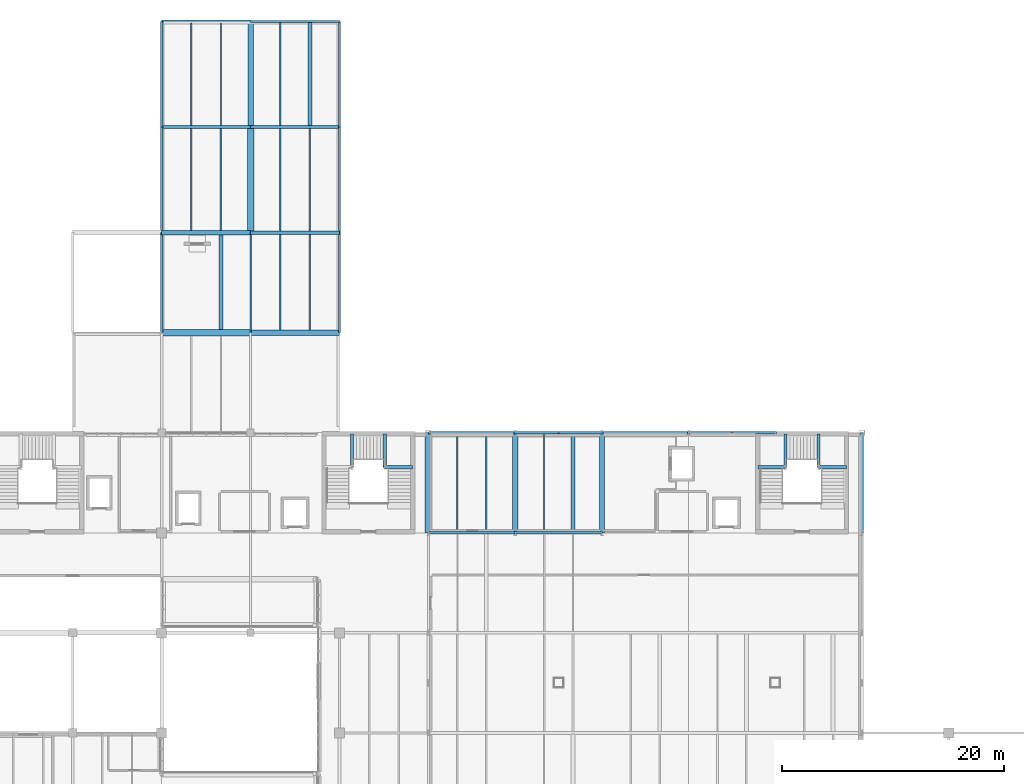
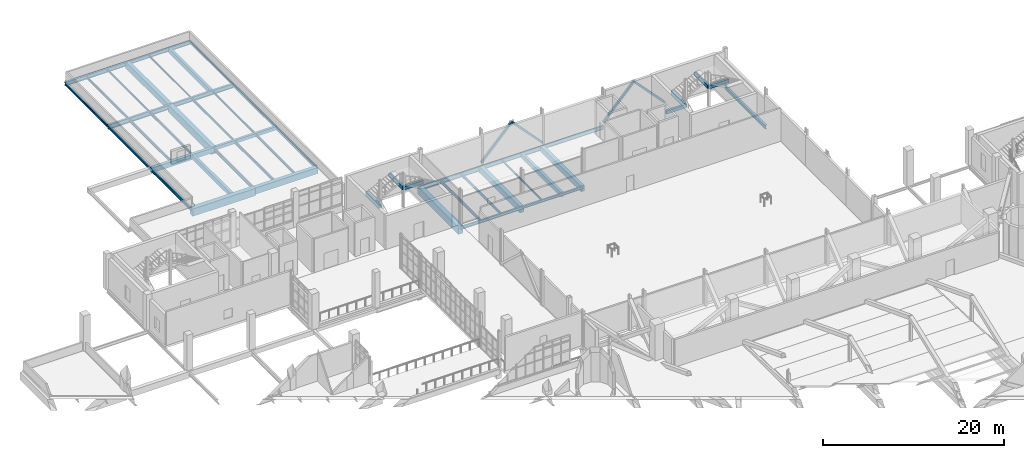
# One storey, part 70 of 127: 48 beams, 4 members.
"""IFC4 building model written with IfcOpenShell, lengths in metres."""

from ifc_helpers import new_model, si_unit, derived_unit, direction, frame, origin, origin_2d, place, context, subcontext, project, spatial, rectangle, hollow_rectangle, i_section, extrude, material, material_profile, profile_set, type_object, element, save


model = new_model("IFC4")

# Units and contexts
model_context = context("Model", 3, precision=1e-05, world=origin(), true_north=direction((0.0, 1.0)))
body_context = subcontext(model_context, "Body", "Model", "MODEL_VIEW")
ifc_project = project(units=[si_unit("LENGTHUNIT", "METRE"), si_unit("AREAUNIT", "SQUARE_METRE"), si_unit("VOLUMEUNIT", "CUBIC_METRE"), si_unit("PLANEANGLEUNIT", "RADIAN"), si_unit("MASSUNIT", "GRAM", prefix="KILO"), derived_unit("THERMALTRANSMITTANCEUNIT", [(si_unit("POWERUNIT", "WATT"), 1), (si_unit("LENGTHUNIT", "METRE"), -2), (si_unit("THERMODYNAMICTEMPERATUREUNIT", "KELVIN"), -1)])], contexts=[model_context])

# Site, building, storey
site_placement = place(None, origin())
site = spatial("IfcSite", under=ifc_project, at=site_placement, CompositionType="ELEMENT")
building_placement = place(site_placement, origin())
building = spatial("IfcBuilding", under=site, at=building_placement, Name="Nallur Shell Playhouse", CompositionType="ELEMENT")
storey_placement = place(building_placement, frame((0.0, 0.0, 5.39990234375)))
storey = spatial("IfcBuildingStorey", under=building, at=storey_placement, Name="L02", CompositionType="ELEMENT", Elevation=5.39990234375)

# Beams
ifc_material_1 = material(Name="Steel E250", Category="steel")
ifc_material_profile_1 = material_profile(ifc_material_1, i_section(OverallWidth=0.110107421875, OverallDepth=0.22509765625, WebThickness=0.006591796875, FlangeThickness=0.01171875, FilletRadius=0.011962890625, at=origin_2d()), Name="ISMB 225")
ifc_profile_set_1 = profile_set([ifc_material_profile_1], Name="Steel E250")
beam_type_1 = type_object("IfcBeamType", Name="BM-JST-ISMB225", PredefinedType="JOIST", material=ifc_profile_set_1)
beam_1_placement = place(storey_placement, frame((50.666748046875, 110.623046875, -0.392333984375), z_axis=(0.0, 1.0, 0.0), x_axis=(-1.0, 0.0, 0.0)))
element("IfcBeam", 1, at=beam_1_placement, inside=storey, type_object=beam_type_1, Name="L02 secondary joist 6-N-527", PredefinedType="JOIST", context=body_context, shape_type="SweptSolid", body=[
    extrude(i_section(OverallWidth=0.110107421875, OverallDepth=0.22509765625, WebThickness=0.006591796875, FlangeThickness=0.01171875, FilletRadius=0.011962890625, at=origin_2d()), origin(), (0.0, 0.0, 1.0), 9.279052734375),
])
beam_2_placement = place(storey_placement, frame((74.39990234375, 74.097900390625, -0.392333984375), z_axis=(0.0, 1.0, 0.0), x_axis=(-1.0, 0.0, 0.0)))
element("IfcBeam", 2, at=beam_2_placement, inside=storey, type_object=beam_type_1, Name="L02 secondary joist 9-J-551", PredefinedType="JOIST", context=body_context, shape_type="SweptSolid", body=[
    extrude(i_section(OverallWidth=0.110107421875, OverallDepth=0.22509765625, WebThickness=0.006591796875, FlangeThickness=0.01171875, FilletRadius=0.011962890625, at=origin_2d()), origin(), (0.0, 0.0, 1.0), 8.80908203125),
])
ifc_material_profile_2 = material_profile(ifc_material_1, i_section(OverallWidth=0.125, OverallDepth=0.25, WebThickness=0.0068359375, FlangeThickness=0.012451171875, FilletRadius=0.012939453125, at=origin_2d()), Name="ISMB 250")
ifc_profile_set_2 = profile_set([ifc_material_profile_2], Name="Steel E250")
beam_type_2 = type_object("IfcBeamType", Name="BM-JST-ISMB250", PredefinedType="JOIST", material=ifc_profile_set_2)
beam_3_placement = place(storey_placement, frame((45.333251953125, 110.623046875, -0.40478515625), z_axis=(0.0, 1.0, 0.0), x_axis=(-1.0, 0.0, 0.0)))
element("IfcBeam", 3, at=beam_3_placement, inside=storey, type_object=beam_type_2, Name="L02 secondary joist 5-N-520", PredefinedType="JOIST", context=body_context, shape_type="SweptSolid", body=[
    extrude(i_section(OverallWidth=0.125, OverallDepth=0.25, WebThickness=0.0068359375, FlangeThickness=0.012451171875, FilletRadius=0.012939453125, at=origin_2d()), origin(), (0.0, 0.0, 1.0), 9.25390625),
])
beam_4_placement = place(storey_placement, frame((53.333251953125, 101.14794921875, -0.40478515625), z_axis=(0.0, 1.0, 0.0), x_axis=(-1.0, 0.0, 0.0)))
element("IfcBeam", 4, at=beam_4_placement, inside=storey, type_object=beam_type_2, Name="L02 secondary joist 6-M-526", PredefinedType="JOIST", context=body_context, shape_type="SweptSolid", body=[
    extrude(i_section(OverallWidth=0.125, OverallDepth=0.25, WebThickness=0.0068359375, FlangeThickness=0.012451171875, FilletRadius=0.012939453125, at=origin_2d()), origin(), (0.0, 0.0, 1.0), 9.22900390625),
])
ifc_material_profile_3 = material_profile(ifc_material_1, i_section(OverallWidth=0.139892578125, OverallDepth=0.300048828125, WebThickness=0.0078125, FlangeThickness=0.01318359375, FilletRadius=0.013916015625, at=origin_2d()), Name="ISMB 300")
ifc_profile_set_3 = profile_set([ifc_material_profile_3], Name="Steel E250")
beam_type_3 = type_object("IfcBeamType", Name="BM-JST-ISMB300", PredefinedType="JOIST", material=ifc_profile_set_3)
beam_5_placement = place(storey_placement, frame((42.666748046875, 110.623046875, -0.429931640625), z_axis=(0.0, 1.0, 0.0), x_axis=(-1.0, 0.0, 0.0)))
element("IfcBeam", 5, at=beam_5_placement, inside=storey, type_object=beam_type_3, Name="L02 secondary joist 5-N-519", PredefinedType="JOIST", context=body_context, shape_type="SweptSolid", body=[
    extrude(i_section(OverallWidth=0.139892578125, OverallDepth=0.300048828125, WebThickness=0.0078125, FlangeThickness=0.01318359375, FilletRadius=0.013916015625, at=origin_2d()), origin(), (0.0, 0.0, 1.0), 9.25390625),
])
beam_6_placement = place(storey_placement, frame((50.666748046875, 101.14794921875, -0.429931640625), z_axis=(0.0, 1.0, 0.0), x_axis=(-1.0, 0.0, 0.0)))
element("IfcBeam", 6, at=beam_6_placement, inside=storey, type_object=beam_type_3, Name="L02 secondary joist 6-M-525", PredefinedType="JOIST", context=body_context, shape_type="SweptSolid", body=[
    extrude(i_section(OverallWidth=0.139892578125, OverallDepth=0.300048828125, WebThickness=0.0078125, FlangeThickness=0.01318359375, FilletRadius=0.013916015625, at=origin_2d()), origin(), (0.0, 0.0, 1.0), 9.22900390625),
])
ifc_material_profile_4 = material_profile(ifc_material_1, i_section(OverallWidth=0.139892578125, OverallDepth=0.35009765625, WebThickness=0.008056640625, FlangeThickness=0.01416015625, FilletRadius=0.013916015625, at=origin_2d()), Name="ISMB 350")
ifc_profile_set_4 = profile_set([ifc_material_profile_4], Name="Steel E250")
beam_type_4 = type_object("IfcBeamType", Name="BM-JST-ISMB350", PredefinedType="JOIST", material=ifc_profile_set_4)
beam_7_placement = place(storey_placement, frame((45.333251953125, 101.197998046875, -0.454833984375), z_axis=(0.0, 1.0, 0.0), x_axis=(-1.0, 0.0, 0.0)))
element("IfcBeam", 7, at=beam_7_placement, inside=storey, type_object=beam_type_4, Name="L02 secondary joist 5-M-518", PredefinedType="JOIST", context=body_context, shape_type="SweptSolid", body=[
    extrude(i_section(OverallWidth=0.139892578125, OverallDepth=0.35009765625, WebThickness=0.008056640625, FlangeThickness=0.01416015625, FilletRadius=0.013916015625, at=origin_2d()), origin(), (0.0, 0.0, 1.0), 9.178955078125),
])
beam_8_placement = place(storey_placement, frame((53.333251953125, 92.248046875, -0.454833984375), z_axis=(0.0, 1.0, 0.0), x_axis=(-1.0, 0.0, 0.0)))
element("IfcBeam", 8, at=beam_8_placement, inside=storey, type_object=beam_type_4, Name="L02 secondary joist 6-L-524", PredefinedType="JOIST", context=body_context, shape_type="SweptSolid", body=[
    extrude(i_section(OverallWidth=0.139892578125, OverallDepth=0.35009765625, WebThickness=0.008056640625, FlangeThickness=0.01416015625, FilletRadius=0.013916015625, at=origin_2d()), origin(), (0.0, 0.0, 1.0), 8.60400390625),
])
beam_9_placement = place(storey_placement, frame((69.199951171875, 74.097900390625, -0.454833984375), z_axis=(0.0, 1.0, 0.0), x_axis=(-1.0, 0.0, 0.0)))
element("IfcBeam", 9, at=beam_9_placement, inside=storey, type_object=beam_type_4, Name="L02 secondary joist 8-J-542", PredefinedType="JOIST", context=body_context, shape_type="SweptSolid", body=[
    extrude(i_section(OverallWidth=0.139892578125, OverallDepth=0.35009765625, WebThickness=0.008056640625, FlangeThickness=0.01416015625, FilletRadius=0.013916015625, at=origin_2d()), origin(), (0.0, 0.0, 1.0), 8.799072265625),
])
ifc_material_profile_5 = material_profile(ifc_material_1, i_section(OverallWidth=0.139892578125, OverallDepth=0.39990234375, WebThickness=0.0087890625, FlangeThickness=0.01611328125, FilletRadius=0.013916015625, at=origin_2d()), Name="ISMB 400")
ifc_profile_set_5 = profile_set([ifc_material_profile_5], Name="Steel E250")
beam_type_5 = type_object("IfcBeamType", Name="BM-JST-ISMB400", PredefinedType="JOIST", material=ifc_profile_set_5)
beam_10_placement = place(storey_placement, frame((42.666748046875, 101.197998046875, -0.47998046875), z_axis=(0.0, 1.0, 0.0), x_axis=(-1.0, 0.0, 0.0)))
element("IfcBeam", 10, at=beam_10_placement, inside=storey, type_object=beam_type_5, Name="L02 secondary joist 5-M-517", PredefinedType="JOIST", context=body_context, shape_type="SweptSolid", body=[
    extrude(i_section(OverallWidth=0.139892578125, OverallDepth=0.39990234375, WebThickness=0.0087890625, FlangeThickness=0.01611328125, FilletRadius=0.013916015625, at=origin_2d()), origin(), (0.0, 0.0, 1.0), 9.178955078125),
])
beam_11_placement = place(storey_placement, frame((50.666748046875, 92.248046875, -0.47998046875), z_axis=(0.0, 1.0, 0.0), x_axis=(-1.0, 0.0, 0.0)))
element("IfcBeam", 11, at=beam_11_placement, inside=storey, type_object=beam_type_5, Name="L02 secondary joist 6-L-523", PredefinedType="JOIST", context=body_context, shape_type="SweptSolid", body=[
    extrude(i_section(OverallWidth=0.139892578125, OverallDepth=0.39990234375, WebThickness=0.0087890625, FlangeThickness=0.01611328125, FilletRadius=0.013916015625, at=origin_2d()), origin(), (0.0, 0.0, 1.0), 8.60400390625),
])
beam_12_placement = place(storey_placement, frame((66.60009765625, 74.097900390625, -0.47998046875), z_axis=(0.0, 1.0, 0.0), x_axis=(-1.0, 0.0, 0.0)))
element("IfcBeam", 12, at=beam_12_placement, inside=storey, type_object=beam_type_5, Name="L02 secondary joist 8-J-541", PredefinedType="JOIST", context=body_context, shape_type="SweptSolid", body=[
    extrude(i_section(OverallWidth=0.139892578125, OverallDepth=0.39990234375, WebThickness=0.0087890625, FlangeThickness=0.01611328125, FilletRadius=0.013916015625, at=origin_2d()), origin(), (0.0, 0.0, 1.0), 8.799072265625),
])
ifc_material_2 = material(Name="Concrete M30", Category="concrete")
ifc_material_profile_6 = material_profile(ifc_material_2, rectangle(XDim=0.35009765625, YDim=0.60009765625, at=origin_2d()), Name="RC 350x600")
ifc_profile_set_6 = profile_set([ifc_material_profile_6], Name="Concrete M30")
beam_type_6 = type_object("IfcBeamType", Name="BM-RC-350x600", PredefinedType="JOIST", material=ifc_profile_set_6)
beam_13_placement = place(storey_placement, frame((45.333251953125, 92.298095703125, -0.579833984375), z_axis=(0.0, 1.0, 0.0), x_axis=(-1.0, 0.0, 0.0)))
element("IfcBeam", 13, at=beam_13_placement, inside=storey, type_object=beam_type_6, Name="L02 secondary joist 5-L-516", PredefinedType="JOIST", context=body_context, shape_type="SweptSolid", body=[
    extrude(rectangle(XDim=0.35009765625, YDim=0.60009765625, at=origin_2d()), origin(), (0.0, 0.0, 1.0), 8.50390625),
])
beam_14_placement = place(storey_placement, frame((53.333251953125, 110.623046875, -0.579833984375), z_axis=(0.0, 1.0, 0.0), x_axis=(-1.0, 0.0, 0.0)))
element("IfcBeam", 14, at=beam_14_placement, inside=storey, type_object=beam_type_6, Name="L02 secondary joist 6-N-528", PredefinedType="JOIST", context=body_context, shape_type="SweptSolid", body=[
    extrude(rectangle(XDim=0.35009765625, YDim=0.60009765625, at=origin_2d()), origin(), (0.0, 0.0, 1.0), 9.279052734375),
])
beam_15_placement = place(storey_placement, frame((77.0, 74.097900390625, -0.579833984375), z_axis=(0.0, 1.0, 0.0), x_axis=(-1.0, 0.0, 0.0)))
element("IfcBeam", 15, at=beam_15_placement, inside=storey, type_object=beam_type_6, Name="L02 secondary joist 9-J-552", PredefinedType="JOIST", context=body_context, shape_type="SweptSolid", body=[
    extrude(rectangle(XDim=0.35009765625, YDim=0.60009765625, at=origin_2d()), origin(), (0.0, 0.0, 1.0), 8.80908203125),
])
ifc_material_3 = material(Name="Concrete M35", Category="concrete")
ifc_material_profile_7 = material_profile(ifc_material_3, rectangle(XDim=0.39990234375, YDim=0.64990234375, at=origin_2d()), Name="RC 400x650")
ifc_profile_set_7 = profile_set([ifc_material_profile_7], Name="Concrete M35")
beam_type_7 = type_object("IfcBeamType", Name="BM-RC-400x650", PredefinedType="BEAM", material=ifc_profile_set_7)
beam_16_placement = place(storey_placement, frame((40.0, 101.0, -0.60498046875), z_axis=(1.0, 0.0, 0.0), x_axis=(0.0, 1.0, 0.0)))
element("IfcBeam", 16, at=beam_16_placement, inside=storey, type_object=beam_type_7, Name="L02 girder X-M-383", PredefinedType="BEAM", context=body_context, shape_type="SweptSolid", body=[
    extrude(rectangle(XDim=0.39990234375, YDim=0.64990234375, at=origin_2d()), origin(), (0.0, 0.0, 1.0), 8.0),
])
ifc_material_profile_8 = material_profile(ifc_material_3, rectangle(XDim=0.449951171875, YDim=0.75, at=origin_2d()), Name="RC 450x750")
ifc_profile_set_8 = profile_set([ifc_material_profile_8], Name="Concrete M35")
beam_type_8 = type_object("IfcBeamType", Name="BM-RC-450x750", PredefinedType="BEAM", material=ifc_profile_set_8)
beam_17_placement = place(storey_placement, frame((79.60009765625, 74.0, -0.65478515625), z_axis=(0.0, 1.0, 0.0), x_axis=(-1.0, 0.0, 0.0)))
element("IfcBeam", 17, at=beam_17_placement, inside=storey, type_object=beam_type_8, Name="L02 girder Y-10-446", PredefinedType="BEAM", context=body_context, shape_type="SweptSolid", body=[
    extrude(rectangle(XDim=0.449951171875, YDim=0.75, at=origin_2d()), origin(), (0.0, 0.0, 1.0), 9.0),
])
ifc_material_4 = material(Name="Concrete M40", Category="concrete")
ifc_material_profile_9 = material_profile(ifc_material_4, rectangle(XDim=0.5, YDim=0.85009765625, at=origin_2d()), Name="RC 500x850")
ifc_profile_set_9 = profile_set([ifc_material_profile_9], Name="Concrete M40")
beam_type_9 = type_object("IfcBeamType", Name="BM-RC-500x850", PredefinedType="BEAM", material=ifc_profile_set_9)
beam_18_placement = place(storey_placement, frame((48.0, 92.0, -0.704833984375), z_axis=(1.0, 0.0, 0.0), x_axis=(0.0, 1.0, 0.0)))
element("IfcBeam", 18, at=beam_18_placement, inside=storey, type_object=beam_type_9, Name="L02 girder X-L-381", PredefinedType="BEAM", context=body_context, shape_type="SweptSolid", body=[
    extrude(rectangle(XDim=0.5, YDim=0.85009765625, at=origin_2d()), origin(), (0.0, 0.0, 1.0), 8.0),
])
beam_19_placement = place(storey_placement, frame((48.0, 110.5, -0.704833984375), z_axis=(0.0, 1.0, 0.0), x_axis=(-1.0, 0.0, 0.0)))
element("IfcBeam", 19, at=beam_19_placement, inside=storey, type_object=beam_type_9, Name="L02 girder Y-6-429", PredefinedType="BEAM", context=body_context, shape_type="SweptSolid", body=[
    extrude(rectangle(XDim=0.5, YDim=0.85009765625, at=origin_2d()), origin(), (0.0, 0.0, 1.0), 9.5),
])
beam_20_placement = place(storey_placement, frame((71.800048828125, 74.0, -0.704833984375), z_axis=(0.0, 1.0, 0.0), x_axis=(-1.0, 0.0, 0.0)))
element("IfcBeam", 20, at=beam_20_placement, inside=storey, type_object=beam_type_9, Name="L02 girder Y-9-445", PredefinedType="BEAM", context=body_context, shape_type="SweptSolid", body=[
    extrude(rectangle(XDim=0.5, YDim=0.85009765625, at=origin_2d()), origin(), (0.0, 0.0, 1.0), 9.0),
])
ifc_material_profile_10 = material_profile(ifc_material_4, rectangle(XDim=0.60009765625, YDim=1.0, at=origin_2d()), Name="RC 600x1000")
ifc_profile_set_10 = profile_set([ifc_material_profile_10], Name="Concrete M40")
beam_type_10 = type_object("IfcBeamType", Name="BM-RC-600x1000", PredefinedType="BEAM", material=ifc_profile_set_10)
beam_21_placement = place(storey_placement, frame((40.0, 92.0, -0.77978515625), z_axis=(1.0, 0.0, 0.0), x_axis=(0.0, 1.0, 0.0)))
element("IfcBeam", 21, at=beam_21_placement, inside=storey, type_object=beam_type_10, Name="L02 girder X-L-380", PredefinedType="BEAM", context=body_context, shape_type="SweptSolid", body=[
    extrude(rectangle(XDim=0.60009765625, YDim=1.0, at=origin_2d()), origin(), (0.0, 0.0, 1.0), 8.0),
])
beam_22_placement = place(storey_placement, frame((48.0, 101.0, -0.77978515625), z_axis=(0.0, 1.0, 0.0), x_axis=(-1.0, 0.0, 0.0)))
element("IfcBeam", 22, at=beam_22_placement, inside=storey, type_object=beam_type_10, Name="L02 girder Y-6-428", PredefinedType="BEAM", context=body_context, shape_type="SweptSolid", body=[
    extrude(rectangle(XDim=0.60009765625, YDim=1.0, at=origin_2d()), origin(), (0.0, 0.0, 1.0), 9.5),
])
beam_23_placement = place(storey_placement, frame((64.0, 74.0, -0.77978515625), z_axis=(0.0, 1.0, 0.0), x_axis=(-1.0, 0.0, 0.0)))
element("IfcBeam", 23, at=beam_23_placement, inside=storey, type_object=beam_type_10, Name="L02 girder Y-8-444", PredefinedType="BEAM", context=body_context, shape_type="SweptSolid", body=[
    extrude(rectangle(XDim=0.60009765625, YDim=1.0, at=origin_2d()), origin(), (0.0, 0.0, 1.0), 9.0),
])
ifc_material_profile_11 = material_profile(ifc_material_3, rectangle(XDim=0.300048828125, YDim=0.449951171875, at=origin_2d()), Name="RC 300x450")
ifc_profile_set_11 = profile_set([ifc_material_profile_11], Name="Concrete M35")
beam_type_11 = type_object("IfcBeamType", Name="BM-SPN-300x450", PredefinedType="SPANDREL", material=ifc_profile_set_11)
beam_24_placement = place(storey_placement, frame((48.0, 101.0, -0.5048828125), z_axis=(1.0, 0.0, 0.0), x_axis=(0.0, 1.0, 0.0)))
element("IfcBeam", 24, at=beam_24_placement, inside=storey, type_object=beam_type_11, Name="L02 girder X-M-384", PredefinedType="SPANDREL", context=body_context, shape_type="SweptSolid", body=[
    extrude(rectangle(XDim=0.300048828125, YDim=0.449951171875, at=origin_2d()), origin(), (0.0, 0.0, 1.0), 8.0),
])
beam_25_placement = place(storey_placement, frame((57.1201171875, 79.8798828125, 1.22509765625), z_axis=(0.0, 1.0, 0.0), x_axis=(-1.0, 0.0, 0.0)))
element("IfcBeam", 25, at=beam_25_placement, inside=storey, type_object=beam_type_11, Name="Stair ST-03-L02 L1 east bearer beam", PredefinedType="SPANDREL", context=body_context, shape_type="SweptSolid", body=[
    extrude(rectangle(XDim=0.300048828125, YDim=0.449951171875, at=origin_2d()), origin(), (0.0, 0.0, 1.0), 3.0),
])
beam_26_placement = place(storey_placement, frame((60.02001953125, 79.8798828125, 2.72509765625), z_axis=(1.0, 0.0, 0.0), x_axis=(0.0, 1.0, 0.0)))
element("IfcBeam", 26, at=beam_26_placement, inside=storey, type_object=beam_type_11, Name="Stair ST-03-L02 L2 south bearer beam", PredefinedType="SPANDREL", context=body_context, shape_type="SweptSolid", body=[
    extrude(rectangle(XDim=0.300048828125, YDim=0.449951171875, at=origin_2d()), origin(), (0.0, 0.0, 1.0), 2.56005859375),
])
beam_27_placement = place(storey_placement, frame((60.080078125, 79.8798828125, 2.72509765625), z_axis=(0.0, 1.0, 0.0), x_axis=(-1.0, 0.0, 0.0)))
element("IfcBeam", 27, at=beam_27_placement, inside=storey, type_object=beam_type_11, Name="Stair ST-03-L02 L2 west bearer beam", PredefinedType="SPANDREL", context=body_context, shape_type="SweptSolid", body=[
    extrude(rectangle(XDim=0.300048828125, YDim=0.449951171875, at=origin_2d()), origin(), (0.0, 0.0, 1.0), 3.0),
])
beam_28_placement = place(storey_placement, frame((93.6201171875, 79.8798828125, 1.22509765625), z_axis=(1.0, 0.0, 0.0), x_axis=(0.0, 1.0, 0.0)))
element("IfcBeam", 28, at=beam_28_placement, inside=storey, type_object=beam_type_11, Name="Stair ST-04-L02 L1 south bearer beam", PredefinedType="SPANDREL", context=body_context, shape_type="SweptSolid", body=[
    extrude(rectangle(XDim=0.300048828125, YDim=0.449951171875, at=origin_2d()), origin(), (0.0, 0.0, 1.0), 2.559814453125),
])
beam_29_placement = place(storey_placement, frame((96.1201171875, 79.8798828125, 1.22509765625), z_axis=(0.0, 1.0, 0.0), x_axis=(-1.0, 0.0, 0.0)))
element("IfcBeam", 29, at=beam_29_placement, inside=storey, type_object=beam_type_11, Name="Stair ST-04-L02 L1 east bearer beam", PredefinedType="SPANDREL", context=body_context, shape_type="SweptSolid", body=[
    extrude(rectangle(XDim=0.300048828125, YDim=0.449951171875, at=origin_2d()), origin(), (0.0, 0.0, 1.0), 3.0),
])
beam_30_placement = place(storey_placement, frame((99.02001953125, 79.8798828125, 2.72509765625), z_axis=(1.0, 0.0, 0.0), x_axis=(0.0, 1.0, 0.0)))
element("IfcBeam", 30, at=beam_30_placement, inside=storey, type_object=beam_type_11, Name="Stair ST-04-L02 L2 south bearer beam", PredefinedType="SPANDREL", context=body_context, shape_type="SweptSolid", body=[
    extrude(rectangle(XDim=0.300048828125, YDim=0.449951171875, at=origin_2d()), origin(), (0.0, 0.0, 1.0), 2.56005859375),
])
beam_31_placement = place(storey_placement, frame((99.080078125, 79.8798828125, 2.72509765625), z_axis=(0.0, 1.0, 0.0), x_axis=(-1.0, 0.0, 0.0)))
element("IfcBeam", 31, at=beam_31_placement, inside=storey, type_object=beam_type_11, Name="Stair ST-04-L02 L2 west bearer beam", PredefinedType="SPANDREL", context=body_context, shape_type="SweptSolid", body=[
    extrude(rectangle(XDim=0.300048828125, YDim=0.449951171875, at=origin_2d()), origin(), (0.0, 0.0, 1.0), 3.0),
])
ifc_material_5 = material(Name="Steel E350", Category="steel")
ifc_material_profile_12 = material_profile(ifc_material_5, i_section(OverallWidth=0.14990234375, OverallDepth=0.449951171875, WebThickness=0.009521484375, FlangeThickness=0.017333984375, FilletRadius=0.014892578125, at=origin_2d()), Name="ISMB 450")
ifc_profile_set_12 = profile_set([ifc_material_profile_12], Name="Steel E350")
beam_type_12 = type_object("IfcBeamType", Name="BM-ST-ISMB450", PredefinedType="BEAM", material=ifc_profile_set_12)
beam_32_placement = place(storey_placement, frame((48.0, 92.0, -0.5048828125), z_axis=(0.0, 1.0, 0.0), x_axis=(-1.0, 0.0, 0.0)))
element("IfcBeam", 32, at=beam_32_placement, inside=storey, type_object=beam_type_12, Name="L02 girder Y-6-427", PredefinedType="BEAM", context=body_context, shape_type="SweptSolid", body=[
    extrude(i_section(OverallWidth=0.14990234375, OverallDepth=0.449951171875, WebThickness=0.009521484375, FlangeThickness=0.017333984375, FilletRadius=0.014892578125, at=origin_2d()), origin(), (0.0, 0.0, 1.0), 9.0),
])
ifc_material_profile_13 = material_profile(ifc_material_5, i_section(OverallWidth=0.179931640625, OverallDepth=0.5, WebThickness=0.01025390625, FlangeThickness=0.01708984375, FilletRadius=0.01708984375, at=origin_2d()), Name="ISMB 500")
ifc_profile_set_13 = profile_set([ifc_material_profile_13], Name="Steel E350")
beam_type_13 = type_object("IfcBeamType", Name="BM-ST-ISMB500", PredefinedType="BEAM", material=ifc_profile_set_13)
beam_33_placement = place(storey_placement, frame((79.60009765625, 83.0, -0.52978515625), z_axis=(1.0, 0.0, 0.0), x_axis=(0.0, 1.0, 0.0)))
element("IfcBeam", 33, at=beam_33_placement, inside=storey, type_object=beam_type_13, Name="L02 girder X-K-378", PredefinedType="BEAM", context=body_context, shape_type="SweptSolid", body=[
    extrude(i_section(OverallWidth=0.179931640625, OverallDepth=0.5, WebThickness=0.01025390625, FlangeThickness=0.01708984375, FilletRadius=0.01708984375, at=origin_2d()), origin(), (0.0, 0.0, 1.0), 7.7998046875),
])
ifc_material_profile_14 = material_profile(ifc_material_5, i_section(OverallWidth=0.18994140625, OverallDepth=0.550048828125, WebThickness=0.01123046875, FlangeThickness=0.019287109375, FilletRadius=0.01806640625, at=origin_2d()), Name="ISMB 550")
ifc_profile_set_14 = profile_set([ifc_material_profile_14], Name="Steel E350")
beam_type_14 = type_object("IfcBeamType", Name="BM-ST-ISMB550", PredefinedType="BEAM", material=ifc_profile_set_14)
beam_34_placement = place(storey_placement, frame((71.800048828125, 83.0, -0.554931640625), z_axis=(1.0, 0.0, 0.0), x_axis=(0.0, 1.0, 0.0)))
element("IfcBeam", 34, at=beam_34_placement, inside=storey, type_object=beam_type_14, Name="L02 girder X-K-377", PredefinedType="BEAM", context=body_context, shape_type="SweptSolid", body=[
    extrude(i_section(OverallWidth=0.18994140625, OverallDepth=0.550048828125, WebThickness=0.01123046875, FlangeThickness=0.019287109375, FilletRadius=0.01806640625, at=origin_2d()), origin(), (0.0, 0.0, 1.0), 7.800048828125),
])
ifc_material_profile_15 = material_profile(ifc_material_5, i_section(OverallWidth=0.2099609375, OverallDepth=0.60009765625, WebThickness=0.011962890625, FlangeThickness=0.020751953125, FilletRadius=0.02001953125, at=origin_2d()), Name="ISMB 600")
ifc_profile_set_15 = profile_set([ifc_material_profile_15], Name="Steel E350")
beam_type_15 = type_object("IfcBeamType", Name="BM-ST-ISMB600", PredefinedType="BEAM", material=ifc_profile_set_15)
beam_35_placement = place(storey_placement, frame((64.0, 83.0, -0.579833984375), z_axis=(1.0, 0.0, 0.0), x_axis=(0.0, 1.0, 0.0)))
element("IfcBeam", 35, at=beam_35_placement, inside=storey, type_object=beam_type_15, Name="L02 girder X-K-376", PredefinedType="BEAM", context=body_context, shape_type="SweptSolid", body=[
    extrude(i_section(OverallWidth=0.2099609375, OverallDepth=0.60009765625, WebThickness=0.011962890625, FlangeThickness=0.020751953125, FilletRadius=0.02001953125, at=origin_2d()), origin(), (0.0, 0.0, 1.0), 7.800048828125),
])
ifc_material_profile_16 = material_profile(ifc_material_1, i_section(OverallWidth=0.199951171875, OverallDepth=0.300048828125, WebThickness=0.00732421875, FlangeThickness=0.010009765625, FilletRadius=0.010986328125, at=origin_2d()), Name="ISWB 300")
ifc_profile_set_16 = profile_set([ifc_material_profile_16], Name="Steel E250")
beam_type_16 = type_object("IfcBeamType", Name="BM-ST-ISWB300", PredefinedType="BEAM", material=ifc_profile_set_16)
for number, where, z_axis, x_axis, name in (
    (36, (40.0, 110.5, -0.429931640625), (0.0, 1.0, 0.0), (-1.0, 0.0, 0.0), "L02 girder Y-5-423"),
    (37, (56.0, 110.5, -0.429931640625), (0.0, 1.0, 0.0), (-1.0, 0.0, 0.0), "L02 girder Y-7-439"),
):
    element("IfcBeam", number, at=place(storey_placement, frame(where, z_axis=z_axis, x_axis=x_axis)), inside=storey, type_object=beam_type_16, Name=name, PredefinedType="BEAM", context=body_context, shape_type="SweptSolid", body=[
        extrude(i_section(OverallWidth=0.199951171875, OverallDepth=0.300048828125, WebThickness=0.00732421875, FlangeThickness=0.010009765625, FilletRadius=0.010986328125, at=origin_2d()), origin(), (0.0, 0.0, 1.0), 9.5),
    ])
ifc_material_profile_17 = material_profile(ifc_material_5, i_section(OverallWidth=0.199951171875, OverallDepth=0.35009765625, WebThickness=0.008056640625, FlangeThickness=0.011474609375, FilletRadius=0.011962890625, at=origin_2d()), Name="ISWB 350")
ifc_profile_set_17 = profile_set([ifc_material_profile_17], Name="Steel E350")
beam_type_17 = type_object("IfcBeamType", Name="BM-ST-ISWB350", PredefinedType="BEAM", material=ifc_profile_set_17)
beam_36_placement = place(storey_placement, frame((71.800048828125, 74.0, -0.454833984375), z_axis=(1.0, 0.0, 0.0), x_axis=(0.0, 1.0, 0.0)))
element("IfcBeam", 38, at=beam_36_placement, inside=storey, type_object=beam_type_17, Name="L02 girder X-J-374", PredefinedType="BEAM", context=body_context, shape_type="SweptSolid", body=[
    extrude(i_section(OverallWidth=0.199951171875, OverallDepth=0.35009765625, WebThickness=0.008056640625, FlangeThickness=0.011474609375, FilletRadius=0.011962890625, at=origin_2d()), origin(), (0.0, 0.0, 1.0), 7.800048828125),
])
for number, where, z_axis, x_axis, name in (
    (39, (40.0, 101.0, -0.454833984375), (0.0, 1.0, 0.0), (-1.0, 0.0, 0.0), "L02 girder Y-5-422"),
    (40, (56.0, 101.0, -0.454833984375), (0.0, 1.0, 0.0), (-1.0, 0.0, 0.0), "L02 girder Y-7-438"),
):
    element("IfcBeam", number, at=place(storey_placement, frame(where, z_axis=z_axis, x_axis=x_axis)), inside=storey, type_object=beam_type_17, Name=name, PredefinedType="BEAM", context=body_context, shape_type="SweptSolid", body=[
        extrude(i_section(OverallWidth=0.199951171875, OverallDepth=0.35009765625, WebThickness=0.008056640625, FlangeThickness=0.011474609375, FilletRadius=0.011962890625, at=origin_2d()), origin(), (0.0, 0.0, 1.0), 9.5),
    ])
ifc_material_profile_18 = material_profile(ifc_material_5, i_section(OverallWidth=0.199951171875, OverallDepth=0.39990234375, WebThickness=0.008544921875, FlangeThickness=0.012939453125, FilletRadius=0.012939453125, at=origin_2d()), Name="ISWB 400")
ifc_profile_set_18 = profile_set([ifc_material_profile_18], Name="Steel E350")
beam_type_18 = type_object("IfcBeamType", Name="BM-ST-ISWB400", PredefinedType="BEAM", material=ifc_profile_set_18)
beam_37_placement = place(storey_placement, frame((64.0, 74.0, -0.47998046875), z_axis=(1.0, 0.0, 0.0), x_axis=(0.0, 1.0, 0.0)))
element("IfcBeam", 41, at=beam_37_placement, inside=storey, type_object=beam_type_18, Name="L02 girder X-J-373", PredefinedType="BEAM", context=body_context, shape_type="SweptSolid", body=[
    extrude(i_section(OverallWidth=0.199951171875, OverallDepth=0.39990234375, WebThickness=0.008544921875, FlangeThickness=0.012939453125, FilletRadius=0.012939453125, at=origin_2d()), origin(), (0.0, 0.0, 1.0), 7.800048828125),
])
for number, where, z_axis, x_axis, name in (
    (42, (40.0, 92.0, -0.47998046875), (0.0, 1.0, 0.0), (-1.0, 0.0, 0.0), "L02 girder Y-5-421"),
    (43, (56.0, 92.0, -0.47998046875), (0.0, 1.0, 0.0), (-1.0, 0.0, 0.0), "L02 girder Y-7-437"),
):
    element("IfcBeam", number, at=place(storey_placement, frame(where, z_axis=z_axis, x_axis=x_axis)), inside=storey, type_object=beam_type_18, Name=name, PredefinedType="BEAM", context=body_context, shape_type="SweptSolid", body=[
        extrude(i_section(OverallWidth=0.199951171875, OverallDepth=0.39990234375, WebThickness=0.008544921875, FlangeThickness=0.012939453125, FilletRadius=0.012939453125, at=origin_2d()), origin(), (0.0, 0.0, 1.0), 9.0),
    ])
ifc_material_profile_19 = material_profile(ifc_material_5, i_section(OverallWidth=0.199951171875, OverallDepth=0.449951171875, WebThickness=0.00927734375, FlangeThickness=0.015380859375, FilletRadius=0.013916015625, at=origin_2d()), Name="ISWB 450")
ifc_profile_set_19 = profile_set([ifc_material_profile_19], Name="Steel E350")
beam_type_19 = type_object("IfcBeamType", Name="BM-ST-ISWB450", PredefinedType="BEAM", material=ifc_profile_set_19)
beam_38_placement = place(storey_placement, frame((48.0, 120.0, -0.5048828125), z_axis=(1.0, 0.0, 0.0), x_axis=(0.0, 1.0, 0.0)))
element("IfcBeam", 44, at=beam_38_placement, inside=storey, type_object=beam_type_19, Name="L02 girder X-P-388", PredefinedType="BEAM", context=body_context, shape_type="SweptSolid", body=[
    extrude(i_section(OverallWidth=0.199951171875, OverallDepth=0.449951171875, WebThickness=0.00927734375, FlangeThickness=0.015380859375, FilletRadius=0.013916015625, at=origin_2d()), origin(), (0.0, 0.0, 1.0), 8.0),
])
ifc_material_profile_20 = material_profile(ifc_material_5, i_section(OverallWidth=0.25, OverallDepth=0.5, WebThickness=0.010009765625, FlangeThickness=0.0146484375, FilletRadius=0.014892578125, at=origin_2d()), Name="ISWB 500")
ifc_profile_set_20 = profile_set([ifc_material_profile_20], Name="Steel E350")
beam_type_20 = type_object("IfcBeamType", Name="BM-ST-ISWB500", PredefinedType="BEAM", material=ifc_profile_set_20)
beam_39_placement = place(storey_placement, frame((40.0, 120.0, -0.52978515625), z_axis=(1.0, 0.0, 0.0), x_axis=(0.0, 1.0, 0.0)))
element("IfcBeam", 45, at=beam_39_placement, inside=storey, type_object=beam_type_20, Name="L02 girder X-P-387", PredefinedType="BEAM", context=body_context, shape_type="SweptSolid", body=[
    extrude(i_section(OverallWidth=0.25, OverallDepth=0.5, WebThickness=0.010009765625, FlangeThickness=0.0146484375, FilletRadius=0.014892578125, at=origin_2d()), origin(), (0.0, 0.0, 1.0), 8.0),
])
beam_40_placement = place(storey_placement, frame((103.0, 74.0, -0.52978515625), z_axis=(0.0, 1.0, 0.0), x_axis=(-1.0, 0.0, 0.0)))
element("IfcBeam", 46, at=beam_40_placement, inside=storey, type_object=beam_type_20, Name="L02 girder Y-13-451", PredefinedType="BEAM", context=body_context, shape_type="SweptSolid", body=[
    extrude(i_section(OverallWidth=0.25, OverallDepth=0.5, WebThickness=0.010009765625, FlangeThickness=0.0146484375, FilletRadius=0.014892578125, at=origin_2d()), origin(), (0.0, 0.0, 1.0), 9.0),
])
ifc_material_profile_21 = material_profile(ifc_material_5, i_section(OverallWidth=0.25, OverallDepth=0.550048828125, WebThickness=0.010498046875, FlangeThickness=0.017578125, FilletRadius=0.01611328125, at=origin_2d()), Name="ISWB 550")
ifc_profile_set_21 = profile_set([ifc_material_profile_21], Name="Steel E350")
beam_type_21 = type_object("IfcBeamType", Name="BM-ST-ISWB550", PredefinedType="BEAM", material=ifc_profile_set_21)
beam_41_placement = place(storey_placement, frame((48.0, 110.5, -0.554931640625), z_axis=(1.0, 0.0, 0.0), x_axis=(0.0, 1.0, 0.0)))
element("IfcBeam", 47, at=beam_41_placement, inside=storey, type_object=beam_type_21, Name="L02 girder X-N-386", PredefinedType="BEAM", context=body_context, shape_type="SweptSolid", body=[
    extrude(i_section(OverallWidth=0.25, OverallDepth=0.550048828125, WebThickness=0.010498046875, FlangeThickness=0.017578125, FilletRadius=0.01611328125, at=origin_2d()), origin(), (0.0, 0.0, 1.0), 8.0),
])
ifc_material_profile_22 = material_profile(ifc_material_5, i_section(OverallWidth=0.25, OverallDepth=0.60009765625, WebThickness=0.01171875, FlangeThickness=0.023681640625, FilletRadius=0.01708984375, at=origin_2d()), Name="ISWB 600")
ifc_profile_set_22 = profile_set([ifc_material_profile_22], Name="Steel E350")
beam_type_22 = type_object("IfcBeamType", Name="BM-ST-ISWB600", PredefinedType="BEAM", material=ifc_profile_set_22)
beam_42_placement = place(storey_placement, frame((40.0, 110.5, -0.579833984375), z_axis=(1.0, 0.0, 0.0), x_axis=(0.0, 1.0, 0.0)))
element("IfcBeam", 48, at=beam_42_placement, inside=storey, type_object=beam_type_22, Name="L02 girder X-N-385", PredefinedType="BEAM", context=body_context, shape_type="SweptSolid", body=[
    extrude(i_section(OverallWidth=0.25, OverallDepth=0.60009765625, WebThickness=0.01171875, FlangeThickness=0.023681640625, FilletRadius=0.01708984375, at=origin_2d()), origin(), (0.0, 0.0, 1.0), 8.0),
])

# Members
ifc_material_profile_23 = material_profile(ifc_material_5, hollow_rectangle(XDim=0.25, YDim=0.25, WallThickness=0.011962890625, at=origin_2d()), Name="SHS 250x250x12")
ifc_profile_set_23 = profile_set([ifc_material_profile_23], Name="Steel E350")
member_type = type_object("IfcMemberType", Name="MB-FT-BRACE1", PredefinedType="BRACE", material=ifc_profile_set_23)
member_1_placement = place(storey_placement, frame((71.800048828125, 83.0, 0.150146484375), z_axis=(0.685694014185, 0.0, 0.72788990851), x_axis=(0.0, 1.0, 0.0)))
element("IfcMember", 49, at=member_1_placement, inside=storey, type_object=member_type, Name="Stage fly tower concentric brace BR-FT-L02-013", PredefinedType="BRACE", context=body_context, shape_type="SweptSolid", body=[
    extrude(hollow_rectangle(XDim=0.25, YDim=0.25, WallThickness=0.011962890625, at=origin_2d()), origin(), (0.0, 0.0, 1.0), 5.6875),
])
for number, where, z_axis, x_axis, name in (
    (50, (79.60009765625, 83.0, 0.150146484375), (-0.685716756198, 0.0, 0.727868484185), (0.0, -1.0, 0.0), "Stage fly tower concentric brace BR-FT-L02-014"),
    (51, (87.39990234375, 83.0, 0.150146484375), (0.685716756198, 0.0, 0.727868484185), (0.0, 1.0, 0.0), "Stage fly tower concentric brace BR-FT-L02-015"),
):
    element("IfcMember", number, at=place(storey_placement, frame(where, z_axis=z_axis, x_axis=x_axis)), inside=storey, type_object=member_type, Name=name, PredefinedType="BRACE", context=body_context, shape_type="SweptSolid", body=[
        extrude(hollow_rectangle(XDim=0.25, YDim=0.25, WallThickness=0.011962890625, at=origin_2d()), origin(), (0.0, 0.0, 1.0), 5.687744140625),
    ])
member_2_placement = place(storey_placement, frame((95.199951171875, 83.0, 0.150146484375), z_axis=(-0.685694014185, 0.0, 0.72788990851), x_axis=(0.0, -1.0, 0.0)))
element("IfcMember", 52, at=member_2_placement, inside=storey, type_object=member_type, Name="Stage fly tower concentric brace BR-FT-L02-016", PredefinedType="BRACE", context=body_context, shape_type="SweptSolid", body=[
    extrude(hollow_rectangle(XDim=0.25, YDim=0.25, WallThickness=0.011962890625, at=origin_2d()), origin(), (0.0, 0.0, 1.0), 5.6875),
])

save(model, "model.ifc")
